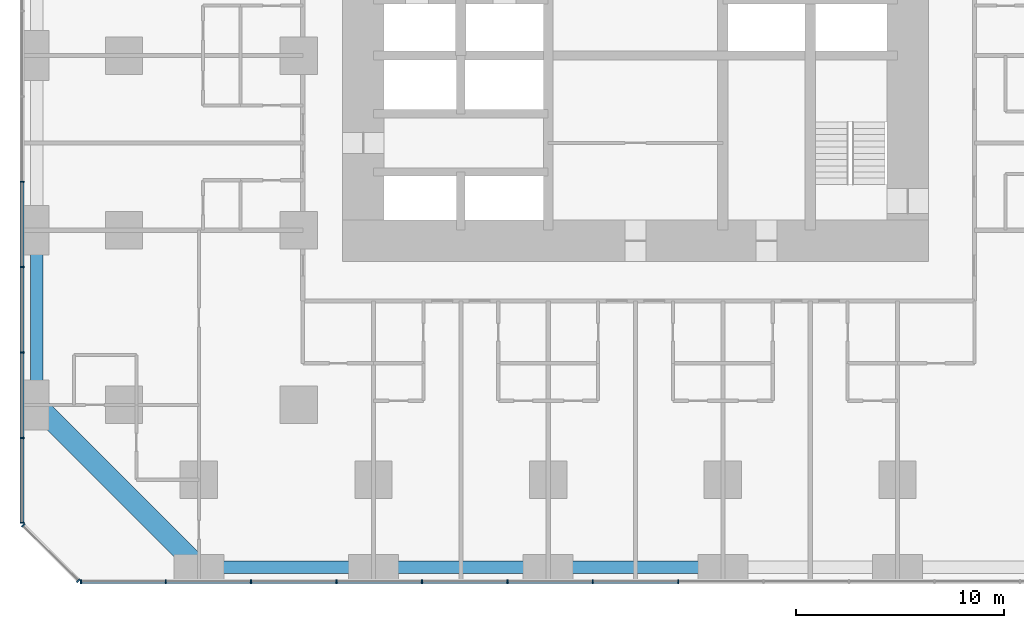
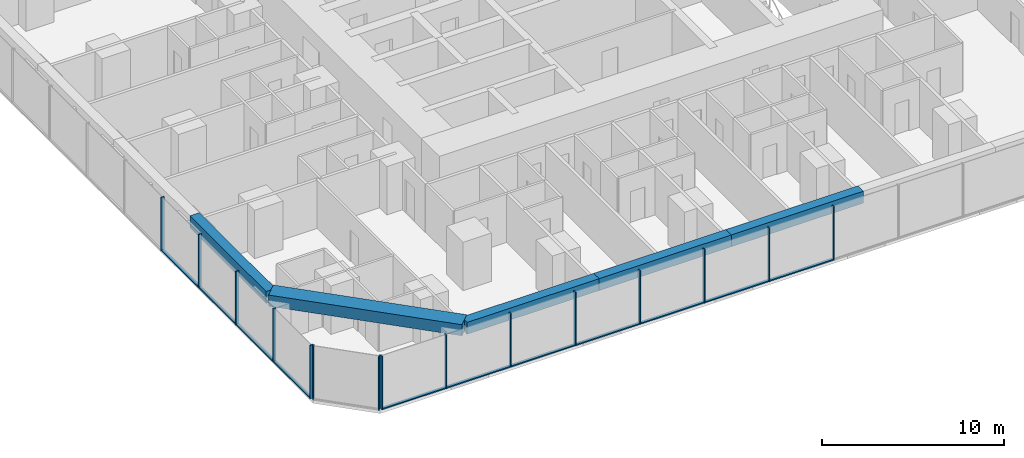
# One storey, part 2 of 18: 26 members, 5 beams, 3 elements without a shape of their own.
"""IFC4 building model written with IfcOpenShell, lengths in metres."""

from ifc_helpers import new_model, si_unit, direction, frame, origin, origin_2d, place, context, subcontext, project, spatial, rectangle, extrude, material, material_profile, profile_set, type_object, element, aggregate, save


model = new_model("IFC4")

# Units and contexts
model_context = context("Model", 3, precision=1e-05, world=origin(), true_north=direction((0.0, 1.0)))
body_context = subcontext(model_context, "Body", "Model", "MODEL_VIEW")
ifc_project = project(units=[si_unit("LENGTHUNIT", "METRE"), si_unit("AREAUNIT", "SQUARE_METRE"), si_unit("VOLUMEUNIT", "CUBIC_METRE"), si_unit("PLANEANGLEUNIT", "RADIAN"), si_unit("MASSUNIT", "GRAM", prefix="KILO")], contexts=[model_context])

# Site, building, storey
site_placement = place(None, origin())
site = spatial("IfcSite", under=ifc_project, at=site_placement, CompositionType="ELEMENT")
building_placement = place(site_placement, origin())
building = spatial("IfcBuilding", under=site, at=building_placement, Name="Dunama Terrace Hotel", CompositionType="ELEMENT")
storey_placement = place(building_placement, frame((0.0, 0.0, 27.0)))
storey = spatial("IfcBuildingStorey", under=building, at=storey_placement, Name="L05", CompositionType="ELEMENT", Elevation=27.0)

# Curtain wall, members
ifc_material_1 = material(Name="Aluminium curtain wall system", Category="aluminium")
curtain_wall_type = type_object("IfcCurtainWallType", Name="Unitised fritted glass wall CW-A", PredefinedType="NOTDEFINED", material=ifc_material_1)
curtain_wall_1_placement = place(storey_placement, origin())
curtain_wall_1 = element("IfcCurtainWall", 1, at=curtain_wall_1_placement, inside=storey, type_object=curtain_wall_type, Name="Unitised fritted glass wall CW-A L05", PredefinedType="NOTDEFINED")
ifc_material_2 = material(Name="Aluminium mullion", Category="aluminium")
ifc_material_profile_1 = material_profile(ifc_material_2, rectangle(XDim=0.06494140625, YDim=0.199951171875, at=origin_2d()), Name="CWA MULLION 65X200")
ifc_profile_set_1 = profile_set([ifc_material_profile_1], Name="Aluminium mullion")
member_type_1 = type_object("IfcMemberType", Name="CWA mullion 65x200", PredefinedType="MULLION", material=ifc_profile_set_1)
member_1_placement = place(storey_placement, frame((2.73291015625, -0.10009765625, 0.0), z_axis=(0.0, 0.0, 1.0), x_axis=(1.0, 0.0, 0.0)))
member_1 = element("IfcMember", 2, at=member_1_placement, type_object=member_type_1, Name="CWA mullion", PredefinedType="MULLION", context=body_context, shape_type="SweptSolid", body=[
    extrude(rectangle(XDim=0.06494140625, YDim=0.199951171875, at=origin_2d()), origin(), (0.0, 0.0, 1.0), 3.60009765625),
])
member_2_placement = place(storey_placement, frame((6.80810546875, -0.10009765625, 0.0), z_axis=(0.0, 0.0, 1.0), x_axis=(1.0, 0.0, 0.0)))
member_2 = element("IfcMember", 3, at=member_2_placement, type_object=member_type_1, Name="CWA mullion", PredefinedType="MULLION", context=body_context, shape_type="SweptSolid", body=[
    extrude(rectangle(XDim=0.06494140625, YDim=0.199951171875, at=origin_2d()), origin(), (0.0, 0.0, 1.0), 3.60009765625),
])
member_3_placement = place(storey_placement, frame((10.9150390625, -0.10009765625, 0.0), z_axis=(0.0, 0.0, 1.0), x_axis=(1.0, 0.0, 0.0)))
member_3 = element("IfcMember", 4, at=member_3_placement, type_object=member_type_1, Name="CWA mullion", PredefinedType="MULLION", context=body_context, shape_type="SweptSolid", body=[
    extrude(rectangle(XDim=0.06494140625, YDim=0.199951171875, at=origin_2d()), origin(), (0.0, 0.0, 1.0), 3.60009765625),
])
member_4_placement = place(storey_placement, frame((15.02294921875, -0.10009765625, 0.0), z_axis=(0.0, 0.0, 1.0), x_axis=(1.0, 0.0, 0.0)))
member_4 = element("IfcMember", 5, at=member_4_placement, type_object=member_type_1, Name="CWA mullion", PredefinedType="MULLION", context=body_context, shape_type="SweptSolid", body=[
    extrude(rectangle(XDim=0.06494140625, YDim=0.199951171875, at=origin_2d()), origin(), (0.0, 0.0, 1.0), 3.60009765625),
])
member_5_placement = place(storey_placement, frame((19.131103515625, -0.10009765625, 0.0), z_axis=(0.0, 0.0, 1.0), x_axis=(1.0, 0.0, 0.0)))
member_5 = element("IfcMember", 6, at=member_5_placement, type_object=member_type_1, Name="CWA mullion", PredefinedType="MULLION", context=body_context, shape_type="SweptSolid", body=[
    extrude(rectangle(XDim=0.06494140625, YDim=0.199951171875, at=origin_2d()), origin(), (0.0, 0.0, 1.0), 3.60009765625),
])
member_6_placement = place(storey_placement, frame((23.238037109375, -0.10009765625, 0.0), z_axis=(0.0, 0.0, 1.0), x_axis=(1.0, 0.0, 0.0)))
member_6 = element("IfcMember", 7, at=member_6_placement, type_object=member_type_1, Name="CWA mullion", PredefinedType="MULLION", context=body_context, shape_type="SweptSolid", body=[
    extrude(rectangle(XDim=0.06494140625, YDim=0.199951171875, at=origin_2d()), origin(), (0.0, 0.0, 1.0), 3.60009765625),
])
member_7_placement = place(storey_placement, frame((27.345947265625, -0.10009765625, 0.0), z_axis=(0.0, 0.0, 1.0), x_axis=(1.0, 0.0, 0.0)))
member_7 = element("IfcMember", 8, at=member_7_placement, type_object=member_type_1, Name="CWA mullion", PredefinedType="MULLION", context=body_context, shape_type="SweptSolid", body=[
    extrude(rectangle(XDim=0.06494140625, YDim=0.199951171875, at=origin_2d()), origin(), (0.0, 0.0, 1.0), 3.60009765625),
])
member_8_placement = place(storey_placement, frame((31.4541015625, -0.10009765625, 0.0), z_axis=(0.0, 0.0, 1.0), x_axis=(1.0, 0.0, 0.0)))
member_8 = element("IfcMember", 9, at=member_8_placement, type_object=member_type_1, Name="CWA mullion", PredefinedType="MULLION", context=body_context, shape_type="SweptSolid", body=[
    extrude(rectangle(XDim=0.06494140625, YDim=0.199951171875, at=origin_2d()), origin(), (0.0, 0.0, 1.0), 3.60009765625),
])

curtain_wall_2_placement = place(storey_placement, origin())
curtain_wall_2 = element("IfcCurtainWall", 10, at=curtain_wall_2_placement, inside=storey, type_object=curtain_wall_type, Name="Unitised fritted glass wall CW-A L05", PredefinedType="NOTDEFINED")
member_9_placement = place(storey_placement, frame((-0.10009765625, 19.131103515625, 0.0), z_axis=(0.0, 0.0, 1.0), x_axis=(0.0, -1.0, 0.0)))
member_9 = element("IfcMember", 11, at=member_9_placement, type_object=member_type_1, Name="CWA mullion", PredefinedType="MULLION", context=body_context, shape_type="SweptSolid", body=[
    extrude(rectangle(XDim=0.06494140625, YDim=0.199951171875, at=origin_2d()), origin(), (0.0, 0.0, 1.0), 3.60009765625),
])
member_10_placement = place(storey_placement, frame((-0.10009765625, 15.02294921875, 0.0), z_axis=(0.0, 0.0, 1.0), x_axis=(0.0, -1.0, 0.0)))
member_10 = element("IfcMember", 12, at=member_10_placement, type_object=member_type_1, Name="CWA mullion", PredefinedType="MULLION", context=body_context, shape_type="SweptSolid", body=[
    extrude(rectangle(XDim=0.06494140625, YDim=0.199951171875, at=origin_2d()), origin(), (0.0, 0.0, 1.0), 3.60009765625),
])
member_11_placement = place(storey_placement, frame((-0.10009765625, 10.9150390625, 0.0), z_axis=(0.0, 0.0, 1.0), x_axis=(0.0, -1.0, 0.0)))
member_11 = element("IfcMember", 13, at=member_11_placement, type_object=member_type_1, Name="CWA mullion", PredefinedType="MULLION", context=body_context, shape_type="SweptSolid", body=[
    extrude(rectangle(XDim=0.06494140625, YDim=0.199951171875, at=origin_2d()), origin(), (0.0, 0.0, 1.0), 3.60009765625),
])
member_12_placement = place(storey_placement, frame((-0.10009765625, 6.80810546875, 0.0), z_axis=(0.0, 0.0, 1.0), x_axis=(0.0, -1.0, 0.0)))
member_12 = element("IfcMember", 14, at=member_12_placement, type_object=member_type_1, Name="CWA mullion", PredefinedType="MULLION", context=body_context, shape_type="SweptSolid", body=[
    extrude(rectangle(XDim=0.06494140625, YDim=0.199951171875, at=origin_2d()), origin(), (0.0, 0.0, 1.0), 3.60009765625),
])
member_13_placement = place(storey_placement, frame((-0.10009765625, 2.73291015625, 0.0), z_axis=(0.0, 0.0, 1.0), x_axis=(0.0, -1.0, 0.0)))
member_13 = element("IfcMember", 15, at=member_13_placement, type_object=member_type_1, Name="CWA mullion", PredefinedType="MULLION", context=body_context, shape_type="SweptSolid", body=[
    extrude(rectangle(XDim=0.06494140625, YDim=0.199951171875, at=origin_2d()), origin(), (0.0, 0.0, 1.0), 3.60009765625),
])

curtain_wall_3_placement = place(storey_placement, origin())
curtain_wall_3 = element("IfcCurtainWall", 16, at=curtain_wall_3_placement, inside=storey, type_object=curtain_wall_type, Name="Unitised fritted glass wall CW-A L05", PredefinedType="NOTDEFINED")
member_14_placement = place(storey_placement, frame((-0.048095703125, 2.60595703125, 0.0), z_axis=(0.0, 0.0, 1.0), x_axis=(0.707106781187, -0.707106781187, 0.0)))
member_14 = element("IfcMember", 17, at=member_14_placement, type_object=member_type_1, Name="CWA mullion", PredefinedType="MULLION", context=body_context, shape_type="SweptSolid", body=[
    extrude(rectangle(XDim=0.06494140625, YDim=0.199951171875, at=origin_2d()), origin(), (0.0, 0.0, 1.0), 3.60009765625),
])
member_15_placement = place(storey_placement, frame((2.60595703125, -0.048095703125, 0.0), z_axis=(0.0, 0.0, 1.0), x_axis=(0.707106781187, -0.707106781187, 0.0)))
member_15 = element("IfcMember", 18, at=member_15_placement, type_object=member_type_1, Name="CWA mullion", PredefinedType="MULLION", context=body_context, shape_type="SweptSolid", body=[
    extrude(rectangle(XDim=0.06494140625, YDim=0.199951171875, at=origin_2d()), origin(), (0.0, 0.0, 1.0), 3.60009765625),
])
aggregate(curtain_wall_3, [member_14, member_15])

# Member
ifc_material_3 = material(Name="Aluminium transom", Category="aluminium")
ifc_material_profile_2 = material_profile(ifc_material_3, rectangle(XDim=0.179931640625, YDim=0.074951171875, at=origin_2d()), Name="CWA TRANSOM 180X75")
ifc_profile_set_2 = profile_set([ifc_material_profile_2], Name="Aluminium transom")
member_type_2 = type_object("IfcMemberType", Name="CWA transom 180x75", PredefinedType="USERDEFINED", material=ifc_profile_set_2)
member_16_placement = place(storey_placement, frame((2.764892578125, -0.10009765625, 0.03759765625), z_axis=(1.0, 0.0, 0.0), x_axis=(0.0, 1.0, 0.0)))
member_16 = element("IfcMember", 19, at=member_16_placement, type_object=member_type_2, Name="CWA transom", ObjectType="TRANSOM", PredefinedType="USERDEFINED", context=body_context, shape_type="SweptSolid", body=[
    extrude(rectangle(XDim=0.179931640625, YDim=0.074951171875, at=origin_2d()), origin(), (0.0, 0.0, 1.0), 4.010009765625),
])

member_17_placement = place(storey_placement, frame((6.840087890625, -0.10009765625, 0.03759765625), z_axis=(1.0, 0.0, 0.0), x_axis=(0.0, 1.0, 0.0)))
member_17 = element("IfcMember", 20, at=member_17_placement, type_object=member_type_2, Name="CWA transom", ObjectType="TRANSOM", PredefinedType="USERDEFINED", context=body_context, shape_type="SweptSolid", body=[
    extrude(rectangle(XDim=0.179931640625, YDim=0.074951171875, at=origin_2d()), origin(), (0.0, 0.0, 1.0), 4.04296875),
])

member_18_placement = place(storey_placement, frame((10.947998046875, -0.10009765625, 0.03759765625), z_axis=(1.0, 0.0, 0.0), x_axis=(0.0, 1.0, 0.0)))
member_18 = element("IfcMember", 21, at=member_18_placement, type_object=member_type_2, Name="CWA transom", ObjectType="TRANSOM", PredefinedType="USERDEFINED", context=body_context, shape_type="SweptSolid", body=[
    extrude(rectangle(XDim=0.179931640625, YDim=0.074951171875, at=origin_2d()), origin(), (0.0, 0.0, 1.0), 4.04296875),
])

member_19_placement = place(storey_placement, frame((15.055908203125, -0.10009765625, 0.03759765625), z_axis=(1.0, 0.0, 0.0), x_axis=(0.0, 1.0, 0.0)))
member_19 = element("IfcMember", 22, at=member_19_placement, type_object=member_type_2, Name="CWA transom", ObjectType="TRANSOM", PredefinedType="USERDEFINED", context=body_context, shape_type="SweptSolid", body=[
    extrude(rectangle(XDim=0.179931640625, YDim=0.074951171875, at=origin_2d()), origin(), (0.0, 0.0, 1.0), 4.0419921875),
])

member_20_placement = place(storey_placement, frame((19.1630859375, -0.10009765625, 0.03759765625), z_axis=(1.0, 0.0, 0.0), x_axis=(0.0, 1.0, 0.0)))
member_20 = element("IfcMember", 23, at=member_20_placement, type_object=member_type_2, Name="CWA transom", ObjectType="TRANSOM", PredefinedType="USERDEFINED", context=body_context, shape_type="SweptSolid", body=[
    extrude(rectangle(XDim=0.179931640625, YDim=0.074951171875, at=origin_2d()), origin(), (0.0, 0.0, 1.0), 4.04296875),
])

member_21_placement = place(storey_placement, frame((23.27099609375, -0.10009765625, 0.03759765625), z_axis=(1.0, 0.0, 0.0), x_axis=(0.0, 1.0, 0.0)))
member_21 = element("IfcMember", 24, at=member_21_placement, type_object=member_type_2, Name="CWA transom", ObjectType="TRANSOM", PredefinedType="USERDEFINED", context=body_context, shape_type="SweptSolid", body=[
    extrude(rectangle(XDim=0.179931640625, YDim=0.074951171875, at=origin_2d()), origin(), (0.0, 0.0, 1.0), 4.04296875),
])

member_22_placement = place(storey_placement, frame((27.37890625, -0.10009765625, 0.03759765625), z_axis=(1.0, 0.0, 0.0), x_axis=(0.0, 1.0, 0.0)))
member_22 = element("IfcMember", 25, at=member_22_placement, type_object=member_type_2, Name="CWA transom", ObjectType="TRANSOM", PredefinedType="USERDEFINED", context=body_context, shape_type="SweptSolid", body=[
    extrude(rectangle(XDim=0.179931640625, YDim=0.074951171875, at=origin_2d()), origin(), (0.0, 0.0, 1.0), 4.0419921875),
])

aggregate(curtain_wall_1, [member_1, member_2, member_3, member_4, member_5, member_6, member_7, member_8, member_16, member_17, member_18, member_19, member_20, member_21, member_22])

member_23_placement = place(storey_placement, frame((-0.10009765625, 19.097900390625, 0.03759765625), z_axis=(0.0, -1.0, 0.0), x_axis=(1.0, 0.0, 0.0)))
member_23 = element("IfcMember", 26, at=member_23_placement, type_object=member_type_2, Name="CWA transom", ObjectType="TRANSOM", PredefinedType="USERDEFINED", context=body_context, shape_type="SweptSolid", body=[
    extrude(rectangle(XDim=0.179931640625, YDim=0.074951171875, at=origin_2d()), origin(), (0.0, 0.0, 1.0), 4.0419921875),
])

member_24_placement = place(storey_placement, frame((-0.10009765625, 14.990966796875, 0.03759765625), z_axis=(0.0, -1.0, 0.0), x_axis=(1.0, 0.0, 0.0)))
member_24 = element("IfcMember", 27, at=member_24_placement, type_object=member_type_2, Name="CWA transom", ObjectType="TRANSOM", PredefinedType="USERDEFINED", context=body_context, shape_type="SweptSolid", body=[
    extrude(rectangle(XDim=0.179931640625, YDim=0.074951171875, at=origin_2d()), origin(), (0.0, 0.0, 1.0), 4.04296875),
])

member_25_placement = place(storey_placement, frame((-0.10009765625, 10.883056640625, 0.03759765625), z_axis=(0.0, -1.0, 0.0), x_axis=(1.0, 0.0, 0.0)))
member_25 = element("IfcMember", 28, at=member_25_placement, type_object=member_type_2, Name="CWA transom", ObjectType="TRANSOM", PredefinedType="USERDEFINED", context=body_context, shape_type="SweptSolid", body=[
    extrude(rectangle(XDim=0.179931640625, YDim=0.074951171875, at=origin_2d()), origin(), (0.0, 0.0, 1.0), 4.04296875),
])

member_26_placement = place(storey_placement, frame((-0.10009765625, 6.77490234375, 0.03759765625), z_axis=(0.0, -1.0, 0.0), x_axis=(1.0, 0.0, 0.0)))
member_26 = element("IfcMember", 29, at=member_26_placement, type_object=member_type_2, Name="CWA transom", ObjectType="TRANSOM", PredefinedType="USERDEFINED", context=body_context, shape_type="SweptSolid", body=[
    extrude(rectangle(XDim=0.179931640625, YDim=0.074951171875, at=origin_2d()), origin(), (0.0, 0.0, 1.0), 4.010009765625),
])

aggregate(curtain_wall_2, [member_9, member_10, member_11, member_12, member_13, member_23, member_24, member_25, member_26])

# Beams
ifc_material_4 = material(Name="Concrete C50/60", Category="concrete")
ifc_material_profile_3 = material_profile(ifc_material_4, rectangle(XDim=1.0, YDim=0.75, at=origin_2d()), Name="RC 1000x750")
ifc_profile_set_3 = profile_set([ifc_material_profile_3], Name="Concrete C50/60")
beam_type_1 = type_object("IfcBeamType", Name="Edge beam RC 1000x750", PredefinedType="SPANDREL", material=ifc_profile_set_3)
beam_1_placement = place(storey_placement, frame((8.39990234375, 0.60009765625, 3.22509765625), z_axis=(-0.707106781187, 0.707106781187, 0.0), x_axis=(-0.707106781187, -0.707106781187, 0.0)))
element("IfcBeam", 30, at=beam_1_placement, inside=storey, type_object=beam_type_1, Name="Corner edge beam under L06", PredefinedType="SPANDREL", context=body_context, shape_type="SweptSolid", body=[
    extrude(rectangle(XDim=1.0, YDim=0.75, at=origin_2d()), origin(), (0.0, 0.0, 1.0), 11.030517578125),
])
ifc_material_5 = material(Name="Concrete C40/50", Category="concrete")
ifc_material_profile_4 = material_profile(ifc_material_5, rectangle(XDim=0.60009765625, YDim=0.800048828125, at=origin_2d()), Name="RC 600x800")
ifc_profile_set_4 = profile_set([ifc_material_profile_4], Name="Concrete C40/50")
beam_type_2 = type_object("IfcBeamType", Name="Edge beam RC 600x800", PredefinedType="SPANDREL", material=ifc_profile_set_4)
for number, where, z_axis, x_axis, name in (
    (31, (0.60009765625, 8.39990234375, 3.199951171875), (0.0, 1.0, 0.0), (-1.0, 0.0, 0.0), "Edge beam under L06"),
    (32, (8.39990234375, 0.60009765625, 3.199951171875), (1.0, 0.0, 0.0), (0.0, 1.0, 0.0), "Edge beam under L06"),
):
    element("IfcBeam", number, at=place(storey_placement, frame(where, z_axis=z_axis, x_axis=x_axis)), inside=storey, type_object=beam_type_2, Name=name, PredefinedType="SPANDREL", context=body_context, shape_type="SweptSolid", body=[
        extrude(rectangle(XDim=0.60009765625, YDim=0.800048828125, at=origin_2d()), origin(), (0.0, 0.0, 1.0), 8.400146484375),
    ])
beam_2_placement = place(storey_placement, frame((16.800048828125, 0.60009765625, 3.199951171875), z_axis=(1.0, 0.0, 0.0), x_axis=(0.0, 1.0, 0.0)))
element("IfcBeam", 33, at=beam_2_placement, inside=storey, type_object=beam_type_2, Name="Edge beam under L06", PredefinedType="SPANDREL", context=body_context, shape_type="SweptSolid", body=[
    extrude(rectangle(XDim=0.60009765625, YDim=0.800048828125, at=origin_2d()), origin(), (0.0, 0.0, 1.0), 8.39990234375),
])
beam_3_placement = place(storey_placement, frame((25.199951171875, 0.60009765625, 3.199951171875), z_axis=(1.0, 0.0, 0.0), x_axis=(0.0, 1.0, 0.0)))
element("IfcBeam", 34, at=beam_3_placement, inside=storey, type_object=beam_type_2, Name="Edge beam under L06", PredefinedType="SPANDREL", context=body_context, shape_type="SweptSolid", body=[
    extrude(rectangle(XDim=0.60009765625, YDim=0.800048828125, at=origin_2d()), origin(), (0.0, 0.0, 1.0), 8.400146484375),
])

save(model, "model.ifc")
